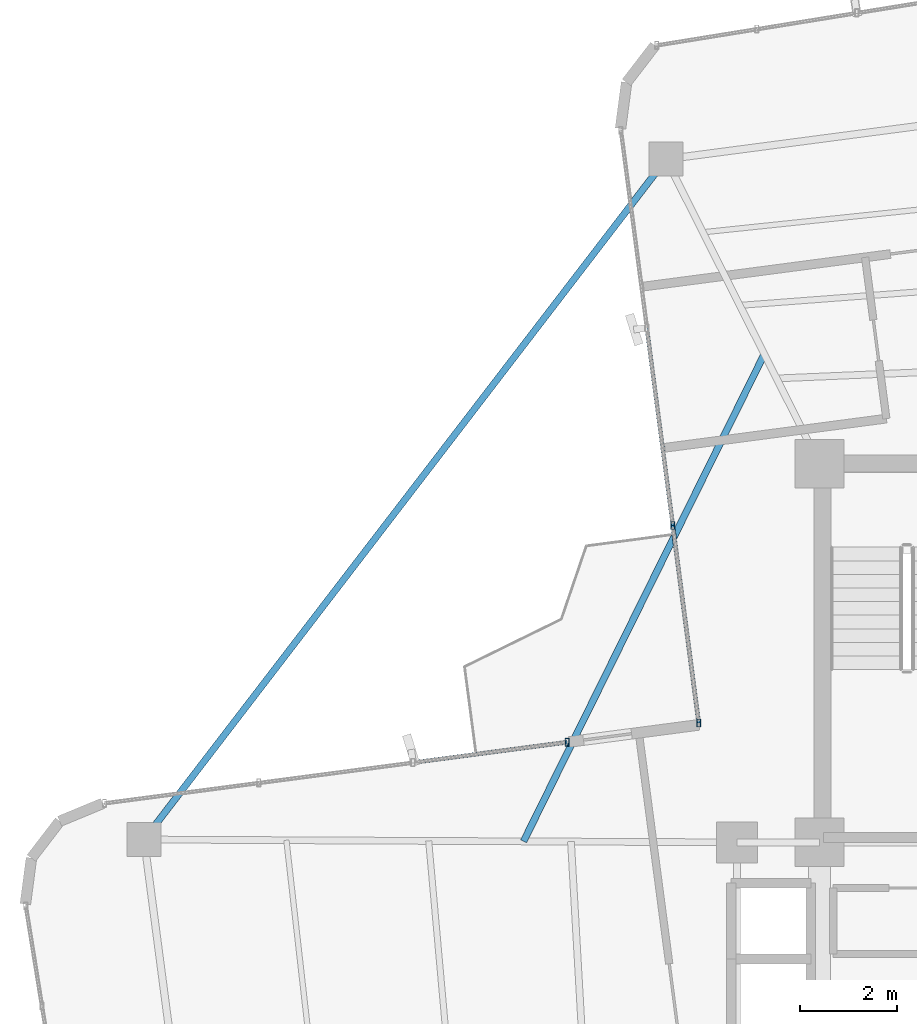
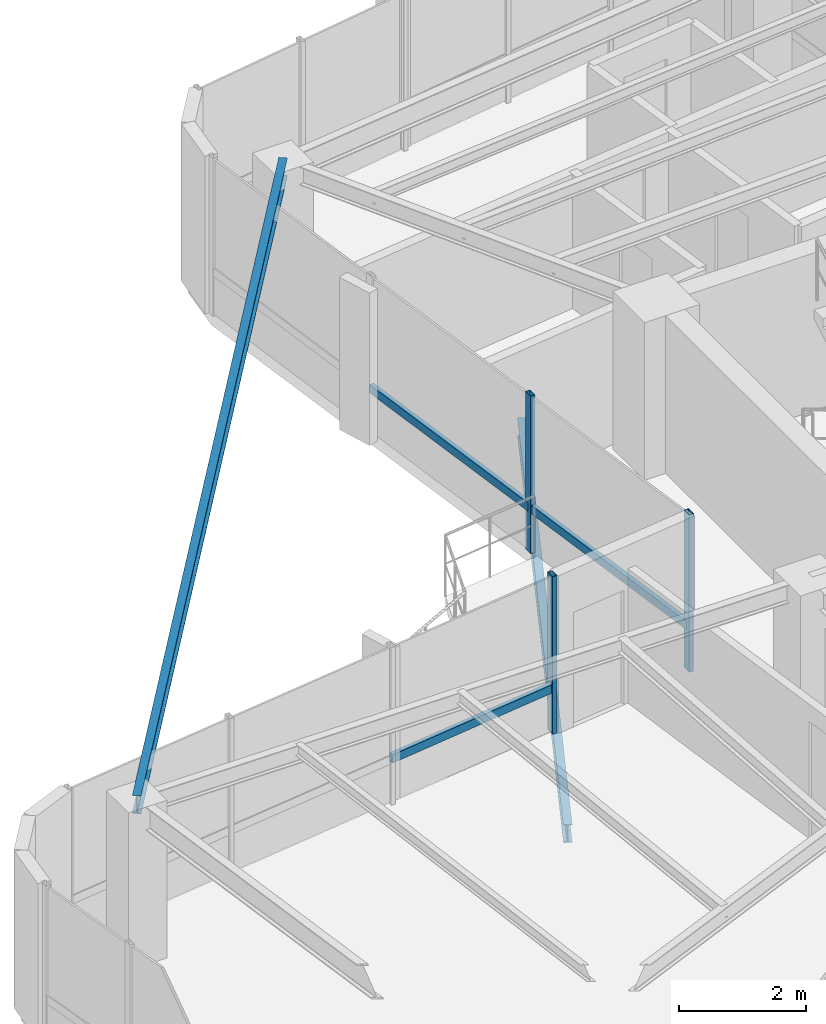
# One storey, part 9 of 22: 6 members, 2 beams, 2 elements without a shape of their own.
"""IFC4 building model written with IfcOpenShell, lengths in metres."""

from ifc_helpers import new_model, si_unit, direction, frame, origin, origin_2d, place, context, subcontext, project, spatial, hollow_rectangle, i_section, extrude, source, transform, mapped, material, material_profile, profile_set, type_object, element, aggregate, save


model = new_model("IFC4")

# Units and contexts
model_context = context("Model", 3, precision=1e-05, world=origin(), true_north=direction((0.0, 1.0)))
body_context = subcontext(model_context, "Body", "Model", "MODEL_VIEW")
ifc_project = project(units=[si_unit("LENGTHUNIT", "METRE"), si_unit("AREAUNIT", "SQUARE_METRE"), si_unit("VOLUMEUNIT", "CUBIC_METRE"), si_unit("PLANEANGLEUNIT", "RADIAN"), si_unit("MASSUNIT", "GRAM", prefix="KILO")], contexts=[model_context])

# Site, building, storey
site_placement = place(None, origin())
site = spatial("IfcSite", under=ifc_project, at=site_placement, CompositionType="ELEMENT")
building_placement = place(site_placement, origin())
building = spatial("IfcBuilding", under=site, at=building_placement, Name="Sahyath Konkavel Grand Hotel", CompositionType="ELEMENT")
storey_placement = place(building_placement, frame((0.0, 0.0, 261.25)))
storey = spatial("IfcBuildingStorey", under=building, at=storey_placement, Name="L73", CompositionType="ELEMENT", Elevation=261.25)

# Beam
ifc_material_1 = material(Name="Steel E350", Category="steel")
ifc_material_profile_1 = material_profile(ifc_material_1, i_section(OverallWidth=0.139892578125, OverallDepth=0.35009765625, WebThickness=0.008056640625, FlangeThickness=0.01416015625, FilletRadius=0.013916015625, at=origin_2d()), Name="ISMB 350")
ifc_profile_set_1 = profile_set([ifc_material_profile_1], Name="Steel E350")
beam_type_1 = type_object("IfcBeamType", Name="BM-ISMB350", PredefinedType="BEAM", material=ifc_profile_set_1)
shared_shape_1 = source(origin(), body_context, "Body", "SweptSolid", [
    extrude(i_section(OverallWidth=0.139892578125, OverallDepth=0.35009765625, WebThickness=0.008056640625, FlangeThickness=0.01416015625, FilletRadius=0.013916015625, at=origin_2d()), origin(), (0.0, 0.0, 1.0), 17.663330078125),
])
beam_1_placement = place(storey_placement, frame((-6.959716796875, 16.472412109375, 2.85498046875), z_axis=(-0.608754453805, -0.793358692504, 0.0), x_axis=(0.793358692504, -0.608754453805, 0.0)))
element("IfcBeam", 1, at=beam_1_placement, inside=storey, type_object=beam_type_1, Name="L73 Re-Entrant Tie Beam NW", PredefinedType="BEAM", context=body_context, shape_type="MappedRepresentation", body=[
    mapped(shared_shape_1, transform((0.0, 0.0, 0.0), scale=1.0)),
])

# Curtain wall, members
ifc_material_2 = material(Name="Anodised Bronze Aluminium & Low-E Glazing", Category="aluminium")
curtain_wall_type = type_object("IfcCurtainWallType", Name="CW-ZONE4", PredefinedType="NOTDEFINED", material=ifc_material_2)
curtain_wall_1_placement = place(storey_placement, origin())
curtain_wall_1 = element("IfcCurtainWall", 2, at=curtain_wall_1_placement, inside=storey, type_object=curtain_wall_type, Name="L73 Unitised Curtain Wall F15", PredefinedType="NOTDEFINED")
ifc_material_3 = material(Name="Anodised Bronze Aluminium", Category="aluminium")
ifc_material_profile_2 = material_profile(ifc_material_3, hollow_rectangle(XDim=0.080078125, YDim=0.159912109375, WallThickness=0.006103515625, at=origin_2d()), Name="RHS 160x80x6")
ifc_profile_set_2 = profile_set([ifc_material_profile_2], Name="Anodised Bronze Aluminium")
member_type_1 = type_object("IfcMemberType", Name="CW-MUL-160", PredefinedType="MULLION", material=ifc_profile_set_2)
shared_shape_2 = source(origin(), body_context, "Body", "SweptSolid", [
    extrude(hollow_rectangle(XDim=0.080078125, YDim=0.159912109375, WallThickness=0.006103515625, at=origin_2d()), origin(), (0.0, 0.0, 1.0), 3.030029296875),
])
member_1_placement = place(storey_placement, frame((-6.82373046875, 8.928955078125, 0.0), z_axis=(0.0, 0.0, 1.0), x_axis=(1.0, 0.0, 0.0)))
member_1 = element("IfcMember", 3, at=member_1_placement, type_object=member_type_1, Name="L73 Curtain Wall Mullion F15-2", PredefinedType="MULLION", context=body_context, shape_type="MappedRepresentation", body=[
    mapped(shared_shape_2, transform((0.0, 0.0, 0.0), scale=1.0)),
])
member_2_placement = place(storey_placement, frame((-6.2880859375, 4.86083984375, 0.0), z_axis=(0.0, 0.0, 1.0), x_axis=(1.0, 0.0, 0.0)))
member_2 = element("IfcMember", 4, at=member_2_placement, type_object=member_type_1, Name="L73 Curtain Wall Mullion F15-3", PredefinedType="MULLION", context=body_context, shape_type="MappedRepresentation", body=[
    mapped(shared_shape_2, transform((0.0, 0.0, 0.0), scale=1.0)),
])

curtain_wall_2_placement = place(storey_placement, origin())
curtain_wall_2 = element("IfcCurtainWall", 5, at=curtain_wall_2_placement, inside=storey, type_object=curtain_wall_type, Name="L73 Unitised Curtain Wall F16", PredefinedType="NOTDEFINED")
member_3_placement = place(storey_placement, frame((-8.99951171875, 4.46337890625, 0.0), z_axis=(0.0, 0.0, 1.0), x_axis=(1.0, 0.0, 0.0)))
member_3 = element("IfcMember", 6, at=member_3_placement, type_object=member_type_1, Name="L73 Curtain Wall Mullion F16-0", PredefinedType="MULLION", context=body_context, shape_type="MappedRepresentation", body=[
    mapped(shared_shape_2, transform((0.0, 0.0, 0.0), scale=1.0)),
])
ifc_material_profile_3 = material_profile(ifc_material_3, hollow_rectangle(XDim=0.080078125, YDim=0.159912109375, WallThickness=0.006103515625, at=origin_2d()), Name="RHS 160x80x6")
ifc_profile_set_3 = profile_set([ifc_material_profile_3], Name="Anodised Bronze Aluminium")
member_type_2 = type_object("IfcMemberType", Name="CW-TRN-160", PredefinedType="USERDEFINED", material=ifc_profile_set_3)
shared_shape_3 = source(origin(), body_context, "Body", "SweptSolid", [
    extrude(hollow_rectangle(XDim=0.080078125, YDim=0.159912109375, WallThickness=0.006103515625, at=origin_2d()), origin(), (0.0, 0.0, 1.0), 3.203369140625),
])
member_4_placement = place(storey_placement, frame((-8.99951171875, 4.46337890625, 0.85009765625), z_axis=(-0.991451441867, -0.130476198668, 0.0), x_axis=(0.130476198668, -0.991451441867, 0.0)))
member_4 = element("IfcMember", 7, at=member_4_placement, type_object=member_type_2, Name="L73 Curtain Wall Transom F16-0-spandrel", ObjectType="TRANSOM", PredefinedType="USERDEFINED", context=body_context, shape_type="MappedRepresentation", body=[
    mapped(shared_shape_3, transform((0.0, 0.0, 0.0), scale=1.0)),
])
aggregate(curtain_wall_2, [member_3, member_4])

# Member
shared_shape_4 = source(origin(), body_context, "Body", "SweptSolid", [
    extrude(hollow_rectangle(XDim=0.080078125, YDim=0.159912109375, WallThickness=0.006103515625, at=origin_2d()), origin(), (0.0, 0.0, 1.0), 4.103271484375),
])
member_5_placement = place(storey_placement, frame((-6.82373046875, 8.928955078125, 0.85009765625), z_axis=(0.130542242661, -0.991442748161, 0.0), x_axis=(0.991442748161, 0.130542242661, 0.0)))
member_5 = element("IfcMember", 8, at=member_5_placement, type_object=member_type_2, Name="L73 Curtain Wall Transom F15-2-spandrel", ObjectType="TRANSOM", PredefinedType="USERDEFINED", context=body_context, shape_type="MappedRepresentation", body=[
    mapped(shared_shape_4, transform((0.0, 0.0, 0.0), scale=1.0)),
])

shared_shape_5 = source(origin(), body_context, "Body", "SweptSolid", [
    extrude(hollow_rectangle(XDim=0.080078125, YDim=0.159912109375, WallThickness=0.006103515625, at=origin_2d()), origin(), (0.0, 0.0, 1.0), 4.103515625),
])
member_6_placement = place(storey_placement, frame((-7.359619140625, 12.997314453125, 0.85009765625), z_axis=(0.130593024052, -0.991436060505, 0.0), x_axis=(0.991436060505, 0.130593024052, 0.0)))
member_6 = element("IfcMember", 9, at=member_6_placement, type_object=member_type_2, Name="L73 Curtain Wall Transom F15-1-spandrel", ObjectType="TRANSOM", PredefinedType="USERDEFINED", context=body_context, shape_type="MappedRepresentation", body=[
    mapped(shared_shape_5, transform((0.0, 0.0, 0.0), scale=1.0)),
])

aggregate(curtain_wall_1, [member_1, member_2, member_6, member_5])

# Beam
ifc_material_profile_4 = material_profile(ifc_material_1, i_section(OverallWidth=0.139892578125, OverallDepth=0.35009765625, WebThickness=0.008056640625, FlangeThickness=0.01416015625, FilletRadius=0.013916015625, at=origin_2d()), Name="ISMB 350")
ifc_profile_set_4 = profile_set([ifc_material_profile_4], Name="Steel E350")
beam_type_2 = type_object("IfcBeamType", Name="BM-BALC-CANT", PredefinedType="BEAM", material=ifc_profile_set_4)
shared_shape_6 = source(origin(), body_context, "Body", "SweptSolid", [
    extrude(i_section(OverallWidth=0.139892578125, OverallDepth=0.35009765625, WebThickness=0.008056640625, FlangeThickness=0.01416015625, FilletRadius=0.013916015625, at=origin_2d()), origin(), (0.0, 0.0, 1.0), 11.19482421875),
])
beam_2_placement = place(storey_placement, frame((-4.9375, 12.4580078125, -0.4150390625), z_axis=(-0.442969049107, -0.896536904725, 0.0), x_axis=(0.896536904725, -0.442969049107, 0.0)))
element("IfcBeam", 10, at=beam_2_placement, inside=storey, type_object=beam_type_2, Name="L73 Balcony Cantilever Support Beam NW", PredefinedType="BEAM", context=body_context, shape_type="MappedRepresentation", body=[
    mapped(shared_shape_6, transform((0.0, 0.0, 0.0), scale=1.0)),
])

save(model, "model.ifc")
